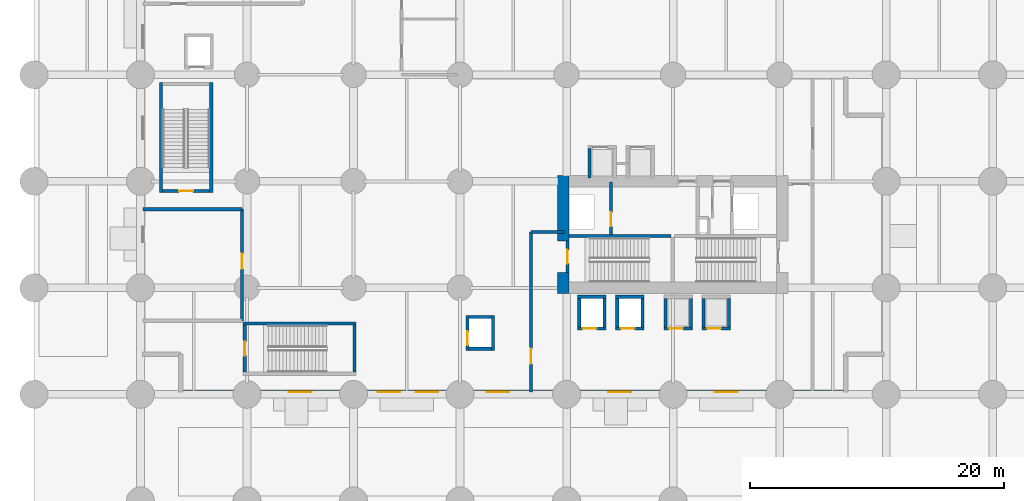
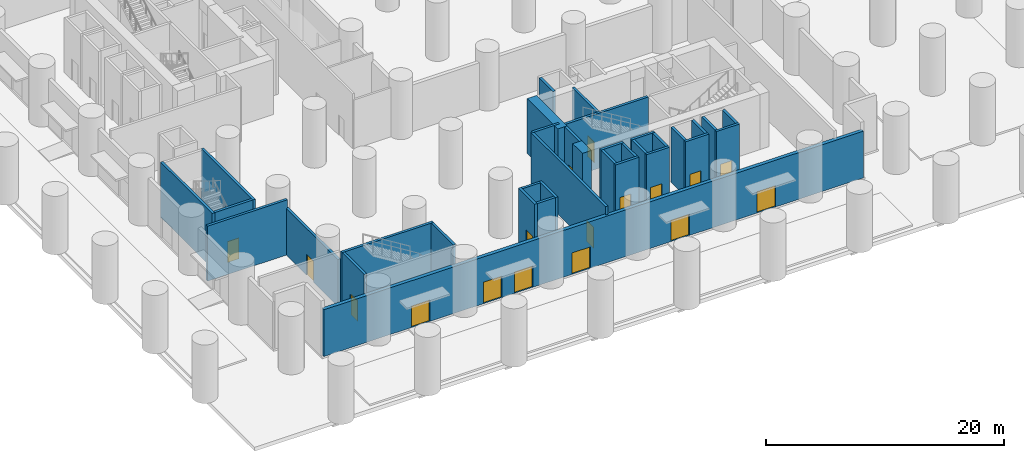
# One storey, part 5 of 13: 35 walls, 17 doors, 17 openings.
"""IFC4 building model written with IfcOpenShell, lengths in metres."""

from ifc_helpers import new_model, si_unit, direction, frame, frame_2d, origin, place, context, subcontext, project, spatial, rectangle, extrude, material, layer, layer_set, type_object, element, fill, save


model = new_model("IFC4")

# Units and contexts
model_context = context("Model", 3, precision=1e-05, world=origin(), true_north=direction((0.0, 1.0)))
body_context = subcontext(model_context, "Body", "Model", "MODEL_VIEW")
ifc_project = project(units=[si_unit("LENGTHUNIT", "METRE"), si_unit("AREAUNIT", "SQUARE_METRE"), si_unit("VOLUMEUNIT", "CUBIC_METRE"), si_unit("PLANEANGLEUNIT", "RADIAN"), si_unit("MASSUNIT", "GRAM", prefix="KILO")], contexts=[model_context])

# Site, building, storey
site_placement = place(None, origin())
site = spatial("IfcSite", under=ifc_project, at=site_placement, CompositionType="ELEMENT")
building_placement = place(site_placement, origin())
building = spatial("IfcBuilding", under=site, at=building_placement, Name="Koriwani Terraces Tower", CompositionType="ELEMENT")
storey_placement = place(building_placement, origin())
storey = spatial("IfcBuildingStorey", under=building, at=storey_placement, Name="L00", CompositionType="ELEMENT", Elevation=0.0)

# Walls
ifc_material_1 = material(Name="Concrete C60/75", Category="concrete")
ifc_layer_1 = layer(ifc_material_1, 0.89990234375, Name="Concrete C60/75")
ifc_layer_set_1 = layer_set([ifc_layer_1], Name="Concrete C60/75")
wall_type_1 = type_object("IfcWallType", Name="WALL_CORE_RC_900", PredefinedType="SHEAR", material=ifc_layer_set_1)
wall_1_placement = place(storey_placement, frame((41.75, 16.35009765625, 0.0), z_axis=(0.0, 0.0, 1.0), x_axis=(0.0, 1.0, 0.0)))
element("IfcWall", 1, at=wall_1_placement, inside=storey, type_object=wall_type_1, Name="L00 East Split Core Shear Wall W1", PredefinedType="SHEAR", context=body_context, shape_type="SweptSolid", body=[
    extrude(rectangle(XDim=1.64990234375, YDim=0.89990234375, at=frame_2d((0.824951171875, 0.0))), origin(), (0.0, 0.0, 1.0), 5.64990234375),
])
wall_2_placement = place(storey_placement, frame((41.75, 20.5, 0.0), z_axis=(0.0, 0.0, 1.0), x_axis=(0.0, 1.0, 0.0)))
element("IfcWall", 2, at=wall_2_placement, inside=storey, type_object=wall_type_1, Name="L00 East Split Core Shear Wall W2", PredefinedType="SHEAR", context=body_context, shape_type="SweptSolid", body=[
    extrude(rectangle(XDim=5.14990234375, YDim=0.89990234375, at=frame_2d((2.574951171875, 0.0))), origin(), (0.0, 0.0, 1.0), 5.64990234375),
])

# Wall, openings, doors
ifc_material_2 = material(Name="Concrete C50/60", Category="concrete")
ifc_layer_2 = layer(ifc_material_2, 0.35009765625, Name="Concrete C50/60")
ifc_layer_set_2 = layer_set([ifc_layer_2], Name="Concrete C50/60")
wall_type_2 = type_object("IfcWallType", Name="WALL_EXT_BRUTALIST_350", PredefinedType="STANDARD", material=ifc_layer_set_2)
wall_3_placement = place(storey_placement, frame((64.02490234375, 8.574951171875, 0.0), z_axis=(0.0, 0.0, 1.0), x_axis=(-1.0, 0.0, 0.0)))
wall_3 = element("IfcWall", 3, at=wall_3_placement, inside=storey, type_object=wall_type_2, Name="L00 Fair-Faced Brutalist Exterior Wall (S)", PredefinedType="STANDARD", context=body_context, shape_type="SweptSolid", body=[
    extrude(rectangle(XDim=52.449951171875, YDim=0.35009765625, at=frame_2d((26.22509765625, 0.0))), origin(), (0.0, 0.0, 1.0), 4.800048828125),
])
opening_1_placement = place(wall_3_placement, frame((35.125, 0.0, 0.0)))
opening_1 = element("IfcOpeningElement", 4, at=opening_1_placement, cuts=wall_3, Name="Opening D-01", PredefinedType="OPENING", context=body_context, shape_type="SweptSolid", body=[
    extrude(rectangle(XDim=1.800048828125, YDim=2.199951171875, at=frame_2d((0.89990234375, 1.10009765625))), frame((0.0, 0.18505859375, 0.0), z_axis=(0.0, -1.0, 0.0), x_axis=(1.0, 0.0, 0.0)), (0.0, 0.0, 1.0), 0.3701171875),
])
opening_2_placement = place(wall_3_placement, frame((26.52490234375, 0.0, 0.0)))
opening_2 = element("IfcOpeningElement", 5, at=opening_2_placement, cuts=wall_3, Name="Opening D-01", PredefinedType="OPENING", context=body_context, shape_type="SweptSolid", body=[
    extrude(rectangle(XDim=1.800048828125, YDim=2.199951171875, at=frame_2d((0.89990234375, 1.10009765625))), frame((0.0, 0.18505859375, 0.0), z_axis=(0.0, -1.0, 0.0), x_axis=(1.0, 0.0, 0.0)), (0.0, 0.0, 1.0), 0.3701171875),
])
opening_3_placement = place(wall_3_placement, frame((16.925048828125, 0.0, 0.0)))
opening_3 = element("IfcOpeningElement", 6, at=opening_3_placement, cuts=wall_3, Name="Opening D-01", PredefinedType="OPENING", context=body_context, shape_type="SweptSolid", body=[
    extrude(rectangle(XDim=1.800048828125, YDim=2.199951171875, at=frame_2d((0.89990234375, 1.10009765625))), frame((0.0, 0.18505859375, 0.0), z_axis=(0.0, -1.0, 0.0), x_axis=(1.0, 0.0, 0.0)), (0.0, 0.0, 1.0), 0.3701171875),
])
opening_4_placement = place(wall_3_placement, frame((8.52490234375, 0.0, 0.0)))
opening_4 = element("IfcOpeningElement", 7, at=opening_4_placement, cuts=wall_3, Name="Opening D-01", PredefinedType="OPENING", context=body_context, shape_type="SweptSolid", body=[
    extrude(rectangle(XDim=1.800048828125, YDim=2.199951171875, at=frame_2d((0.89990234375, 1.10009765625))), frame((0.0, 0.18505859375, 0.0), z_axis=(0.0, -1.0, 0.0), x_axis=(1.0, 0.0, 0.0)), (0.0, 0.0, 1.0), 0.3701171875),
])
opening_5_placement = place(wall_3_placement, frame((32.125, 0.0, 0.0)))
opening_5 = element("IfcOpeningElement", 8, at=opening_5_placement, cuts=wall_3, Name="Opening D-01", PredefinedType="OPENING", context=body_context, shape_type="SweptSolid", body=[
    extrude(rectangle(XDim=1.800048828125, YDim=2.199951171875, at=frame_2d((0.89990234375, 1.10009765625))), frame((0.0, 0.18505859375, 0.0), z_axis=(0.0, -1.0, 0.0), x_axis=(1.0, 0.0, 0.0)), (0.0, 0.0, 1.0), 0.3701171875),
])
opening_6_placement = place(wall_3_placement, frame((42.125, 0.0, 0.0)))
opening_6 = element("IfcOpeningElement", 9, at=opening_6_placement, cuts=wall_3, Name="Opening D-01", PredefinedType="OPENING", context=body_context, shape_type="SweptSolid", body=[
    extrude(rectangle(XDim=1.800048828125, YDim=2.199951171875, at=frame_2d((0.89990234375, 1.10009765625))), frame((0.0, 0.18505859375, 0.0), z_axis=(0.0, -1.0, 0.0), x_axis=(1.0, 0.0, 0.0)), (0.0, 0.0, 1.0), 0.3701171875),
])
ifc_material_3 = material(Name="Anodised Bronze Aluminium", Category="aluminium")
door_type_1 = type_object("IfcDoorType", Name="DOOR_EXIT_DOUBLE_1800X2200", OperationType="NOTDEFINED", PredefinedType="DOOR", material=ifc_material_3)
door_1_placement = place(opening_1_placement, origin())
door_1 = element("IfcDoor", 10, at=door_1_placement, inside=storey, type_object=door_type_1, Name="Final Exit Door EX-01 (Podium Stair ST-P2 & Lobby South)", OperationType="DOUBLE_SWING_LEFT", OverallHeight=2.199951171875, OverallWidth=1.800048828125, PredefinedType="DOOR", context=body_context, shape_type="SweptSolid", body=[
    extrude(rectangle(XDim=1.800048828125, YDim=2.199951171875, at=frame_2d((0.89990234375, 1.10009765625))), frame((0.0, 0.02490234375, 0.0), z_axis=(0.0, -1.0, 0.0), x_axis=(1.0, 0.0, 0.0)), (0.0, 0.0, 1.0), 0.050048828125),
])
fill(opening_1, door_1)
door_2_placement = place(opening_2_placement, origin())
door_2 = element("IfcDoor", 11, at=door_2_placement, inside=storey, type_object=door_type_1, Name="Final Exit Door EX-02 (Main Plaza South)", OperationType="DOUBLE_SWING_LEFT", OverallHeight=2.199951171875, OverallWidth=1.800048828125, PredefinedType="DOOR", context=body_context, shape_type="SweptSolid", body=[
    extrude(rectangle(XDim=1.800048828125, YDim=2.199951171875, at=frame_2d((0.89990234375, 1.10009765625))), frame((0.0, 0.02490234375, 0.0), z_axis=(0.0, -1.0, 0.0), x_axis=(1.0, 0.0, 0.0)), (0.0, 0.0, 1.0), 0.050048828125),
])
fill(opening_2, door_2)
door_3_placement = place(opening_3_placement, origin())
door_3 = element("IfcDoor", 12, at=door_3_placement, inside=storey, type_object=door_type_1, Name="Final Exit Door EX-03 (East Stair ST-E1 Protected Discharge)", OperationType="DOUBLE_SWING_LEFT", OverallHeight=2.199951171875, OverallWidth=1.800048828125, PredefinedType="DOOR", context=body_context, shape_type="SweptSolid", body=[
    extrude(rectangle(XDim=1.800048828125, YDim=2.199951171875, at=frame_2d((0.89990234375, 1.10009765625))), frame((0.0, 0.02490234375, 0.0), z_axis=(0.0, -1.0, 0.0), x_axis=(1.0, 0.0, 0.0)), (0.0, 0.0, 1.0), 0.050048828125),
])
fill(opening_3, door_3)
door_4_placement = place(opening_4_placement, origin())
door_4 = element("IfcDoor", 13, at=door_4_placement, inside=storey, type_object=door_type_1, Name="Final Exit Door EX-04 (East Stair ST-E2 Protected Discharge)", OperationType="DOUBLE_SWING_LEFT", OverallHeight=2.199951171875, OverallWidth=1.800048828125, PredefinedType="DOOR", context=body_context, shape_type="SweptSolid", body=[
    extrude(rectangle(XDim=1.800048828125, YDim=2.199951171875, at=frame_2d((0.89990234375, 1.10009765625))), frame((0.0, 0.02490234375, 0.0), z_axis=(0.0, -1.0, 0.0), x_axis=(1.0, 0.0, 0.0)), (0.0, 0.0, 1.0), 0.050048828125),
])
fill(opening_4, door_4)
door_5_placement = place(opening_5_placement, origin())
door_5 = element("IfcDoor", 14, at=door_5_placement, inside=storey, type_object=door_type_1, Name="Final Exit Door EX-09 (Hotel Concourse Plaza Exit)", OperationType="DOUBLE_SWING_LEFT", OverallHeight=2.199951171875, OverallWidth=1.800048828125, PredefinedType="DOOR", context=body_context, shape_type="SweptSolid", body=[
    extrude(rectangle(XDim=1.800048828125, YDim=2.199951171875, at=frame_2d((0.89990234375, 1.10009765625))), frame((0.0, 0.02490234375, 0.0), z_axis=(0.0, -1.0, 0.0), x_axis=(1.0, 0.0, 0.0)), (0.0, 0.0, 1.0), 0.050048828125),
])
fill(opening_5, door_5)
door_6_placement = place(opening_6_placement, origin())
door_6 = element("IfcDoor", 15, at=door_6_placement, inside=storey, type_object=door_type_1, Name="Final Exit Door EX-10 (South Arrival Plaza Exit)", OperationType="DOUBLE_SWING_LEFT", OverallHeight=2.199951171875, OverallWidth=1.800048828125, PredefinedType="DOOR", context=body_context, shape_type="SweptSolid", body=[
    extrude(rectangle(XDim=1.800048828125, YDim=2.199951171875, at=frame_2d((0.89990234375, 1.10009765625))), frame((0.0, 0.02490234375, 0.0), z_axis=(0.0, -1.0, 0.0), x_axis=(1.0, 0.0, 0.0)), (0.0, 0.0, 1.0), 0.050048828125),
])
fill(opening_6, door_6)

# Walls
ifc_material_4 = material(Name="Concrete C40/50", Category="concrete")
ifc_layer_3 = layer(ifc_material_4, 0.25, Name="Concrete C40/50")
ifc_layer_set_3 = layer_set([ifc_layer_3], Name="Concrete C40/50")
wall_type_3 = type_object("IfcWallType", Name="WALL_SHAFT_RATED_250", PredefinedType="SOLIDWALL", material=ifc_layer_set_3)
wall_4_placement = place(storey_placement, frame((42.199951171875, 20.875, 0.0), z_axis=(0.0, 0.0, 1.0), x_axis=(1.0, 0.0, 0.0)))
element("IfcWall", 16, at=wall_4_placement, inside=storey, type_object=wall_type_3, Name="L00 East Split Core Web Wall MID1", PredefinedType="SOLIDWALL", context=body_context, shape_type="SweptSolid", body=[
    extrude(rectangle(XDim=8.050048828125, YDim=0.25, at=frame_2d((4.02490234375, 0.0))), origin(), (0.0, 0.0, 1.0), 5.64990234375),
])
for number, where, z_axis, x_axis, name in (
    (17, (10.02490234375, 24.300048828125, 0.0), (0.0, 0.0, 1.0), (0.0, 1.0, 0.0), "L00 Podium Stair ST-P1 West Bearing Wall"),
    (18, (13.97509765625, 24.300048828125, 0.0), (0.0, 0.0, 1.0), (0.0, 1.0, 0.0), "L00 Podium Stair ST-P1 East Bearing Wall"),
):
    element("IfcWall", number, at=place(storey_placement, frame(where, z_axis=z_axis, x_axis=x_axis)), inside=storey, type_object=wall_type_3, Name=name, PredefinedType="SOLIDWALL", context=body_context, shape_type="SweptSolid", body=[
        extrude(rectangle(XDim=8.699951171875, YDim=0.25, at=frame_2d((4.35009765625, 0.0))), origin(), (0.0, 0.0, 1.0), 5.64990234375),
    ])
wall_5_placement = place(storey_placement, frame((16.5, 13.97509765625, 0.0), z_axis=(0.0, 0.0, 1.0), x_axis=(1.0, 0.0, 0.0)))
element("IfcWall", 19, at=wall_5_placement, inside=storey, type_object=wall_type_3, Name="L00 Podium Stair ST-P2 North Bearing Wall", PredefinedType="SOLIDWALL", context=body_context, shape_type="SweptSolid", body=[
    extrude(rectangle(XDim=8.89990234375, YDim=0.25, at=frame_2d((4.449951171875, 0.0))), origin(), (0.0, 0.0, 1.0), 5.64990234375),
])
wall_6_placement = place(storey_placement, frame((25.27490234375, 10.14990234375, 0.0), z_axis=(0.0, 0.0, 1.0), x_axis=(0.0, 1.0, 0.0)))
element("IfcWall", 20, at=wall_6_placement, inside=storey, type_object=wall_type_3, Name="L00 Podium Stair ST-P2 East Bearing Wall", PredefinedType="SOLIDWALL", context=body_context, shape_type="SweptSolid", body=[
    extrude(rectangle(XDim=3.7001953125, YDim=0.25, at=frame_2d((1.85009765625, 0.0))), origin(), (0.0, 0.0, 1.0), 5.64990234375),
])

# Wall, opening, door
wall_7_placement = place(storey_placement, frame((42.074951171875, 18.0, 0.0), z_axis=(0.0, 0.0, 1.0), x_axis=(0.0, 1.0, 0.0)))
wall_7 = element("IfcWall", 21, at=wall_7_placement, inside=storey, type_object=wall_type_3, Name="L00 Interior Wall WIN-CE-L00-STW", PredefinedType="SOLIDWALL", context=body_context, shape_type="SweptSolid", body=[
    extrude(rectangle(XDim=2.5, YDim=0.25, at=frame_2d((1.25, 0.0))), origin(), (0.0, 0.0, 1.0), 5.64990234375),
])
opening_7_placement = place(wall_7_placement, frame((0.699951171875, 0.0, 0.0)))
opening_7 = element("IfcOpeningElement", 22, at=opening_7_placement, cuts=wall_7, Name="Opening D-03", PredefinedType="OPENING", context=body_context, shape_type="SweptSolid", body=[
    extrude(rectangle(XDim=1.10009765625, YDim=2.14990234375, at=frame_2d((0.550048828125, 1.074951171875))), frame((0.0, 0.135009765625, 0.0), z_axis=(0.0, -1.0, 0.0), x_axis=(1.0, 0.0, 0.0)), (0.0, 0.0, 1.0), 0.27001953125),
])
ifc_material_5 = material(Name="Steel ASTM A572 Grade 50", Category="steel")
door_type_2 = type_object("IfcDoorType", Name="DOOR_STAIR_FIRE_1100X2150", OperationType="NOTDEFINED", PredefinedType="DOOR", material=ifc_material_5)
door_7_placement = place(opening_7_placement, origin())
door_7 = element("IfcDoor", 23, at=door_7_placement, inside=storey, type_object=door_type_2, Name="L00 Exit Stair ST-E1 Door", OperationType="SINGLE_SWING_LEFT", OverallHeight=2.14990234375, OverallWidth=1.10009765625, PredefinedType="DOOR", context=body_context, shape_type="SweptSolid", body=[
    extrude(rectangle(XDim=1.10009765625, YDim=2.14990234375, at=frame_2d((0.550048828125, 1.074951171875))), frame((0.0, 0.02490234375, 0.0), z_axis=(0.0, -1.0, 0.0), x_axis=(1.0, 0.0, 0.0)), (0.0, 0.0, 1.0), 0.050048828125),
])
fill(opening_7, door_7)

wall_8_placement = place(storey_placement, frame((45.5, 21.0, 0.0), z_axis=(0.0, 0.0, 1.0), x_axis=(0.0, 1.0, 0.0)))
wall_8 = element("IfcWall", 24, at=wall_8_placement, inside=storey, type_object=wall_type_3, Name="L00 Interior Wall WIN-CE-L00-FE", PredefinedType="SOLIDWALL", context=body_context, shape_type="SweptSolid", body=[
    extrude(rectangle(XDim=4.14990234375, YDim=0.25, at=frame_2d((2.074951171875, 0.0))), origin(), (0.0, 0.0, 1.0), 5.64990234375),
])
opening_8_placement = place(wall_8_placement, frame((0.64990234375, 0.0, 0.0)))
opening_8 = element("IfcOpeningElement", 25, at=opening_8_placement, cuts=wall_8, Name="Opening LD-01", PredefinedType="OPENING", context=body_context, shape_type="SweptSolid", body=[
    extrude(rectangle(XDim=1.10009765625, YDim=2.14990234375, at=frame_2d((0.550048828125, 1.074951171875))), frame((0.0, 0.135009765625, 0.0), z_axis=(0.0, -1.0, 0.0), x_axis=(1.0, 0.0, 0.0)), (0.0, 0.0, 1.0), 0.27001953125),
])
door_type_3 = type_object("IfcDoorType", Name="DOOR_LIFT_LANDING_1100X2200", OperationType="NOTDEFINED", PredefinedType="DOOR", material=ifc_material_5)
door_8_placement = place(opening_8_placement, origin())
door_8 = element("IfcDoor", 26, at=door_8_placement, inside=storey, type_object=door_type_3, Name="L00 Firefighting Lift FE-02 Landing Door", OperationType="SLIDING_TO_LEFT", OverallHeight=2.14990234375, OverallWidth=1.10009765625, PredefinedType="DOOR", context=body_context, shape_type="SweptSolid", body=[
    extrude(rectangle(XDim=1.10009765625, YDim=2.14990234375, at=frame_2d((0.550048828125, 1.074951171875))), frame((0.0, 0.02490234375, 0.0), z_axis=(0.0, -1.0, 0.0), x_axis=(1.0, 0.0, 0.0)), (0.0, 0.0, 1.0), 0.050048828125),
])
fill(opening_8, door_8)

wall_9_placement = place(storey_placement, frame((34.199951171875, 11.875, 0.0), z_axis=(0.0, 0.0, 1.0), x_axis=(0.0, 1.0, 0.0)))
wall_9 = element("IfcWall", 27, at=wall_9_placement, inside=storey, type_object=wall_type_3, Name="L00 Interior Wall WIN-LF-PE-P2-L00-F", PredefinedType="SOLIDWALL", context=body_context, shape_type="SweptSolid", body=[
    extrude(rectangle(XDim=2.75, YDim=0.25, at=frame_2d((1.375, 0.0))), origin(), (0.0, 0.0, 1.0), 5.64990234375),
])
opening_9_placement = place(wall_9_placement, frame((0.39990234375, 0.0, 0.0)))
opening_9 = element("IfcOpeningElement", 28, at=opening_9_placement, cuts=wall_9, Name="Opening LD-01", PredefinedType="OPENING", context=body_context, shape_type="SweptSolid", body=[
    extrude(rectangle(XDim=1.10009765625, YDim=2.14990234375, at=frame_2d((0.550048828125, 1.074951171875))), frame((0.0, 0.135009765625, 0.0), z_axis=(0.0, -1.0, 0.0), x_axis=(1.0, 0.0, 0.0)), (0.0, 0.0, 1.0), 0.27001953125),
])
door_9_placement = place(opening_9_placement, origin())
door_9 = element("IfcDoor", 29, at=door_9_placement, inside=storey, type_object=door_type_3, Name="L00 Passenger Lift PE-P2 Landing Door", OperationType="SLIDING_TO_LEFT", OverallHeight=2.14990234375, OverallWidth=1.10009765625, PredefinedType="DOOR", context=body_context, shape_type="SweptSolid", body=[
    extrude(rectangle(XDim=1.10009765625, YDim=2.14990234375, at=frame_2d((0.550048828125, 1.074951171875))), frame((0.0, 0.02490234375, 0.0), z_axis=(0.0, -1.0, 0.0), x_axis=(1.0, 0.0, 0.0)), (0.0, 0.0, 1.0), 0.050048828125),
])
fill(opening_9, door_9)

# Walls
wall_10_placement = place(storey_placement, frame((36.199951171875, 11.875, 0.0), z_axis=(0.0, 0.0, 1.0), x_axis=(0.0, 1.0, 0.0)))
element("IfcWall", 30, at=wall_10_placement, inside=storey, type_object=wall_type_3, Name="L00 Interior Wall WIN-LF-PE-P2-L00-B", PredefinedType="SOLIDWALL", context=body_context, shape_type="SweptSolid", body=[
    extrude(rectangle(XDim=2.75, YDim=0.25, at=frame_2d((1.375, 0.0))), origin(), (0.0, 0.0, 1.0), 5.64990234375),
])
for number, where, z_axis, x_axis, name in (
    (31, (34.324951171875, 12.0, 0.0), (0.0, 0.0, 1.0), (1.0, 0.0, 0.0), "L00 Interior Wall WIN-LF-PE-P2-L00-S"),
    (32, (34.324951171875, 14.5, 0.0), (0.0, 0.0, 1.0), (1.0, 0.0, 0.0), "L00 Interior Wall WIN-LF-PE-P2-L00-N"),
):
    element("IfcWall", number, at=place(storey_placement, frame(where, z_axis=z_axis, x_axis=x_axis)), inside=storey, type_object=wall_type_3, Name=name, PredefinedType="SOLIDWALL", context=body_context, shape_type="SweptSolid", body=[
        extrude(rectangle(XDim=1.75, YDim=0.25, at=frame_2d((0.875, 0.0))), origin(), (0.0, 0.0, 1.0), 5.64990234375),
    ])

# Wall, opening, door
wall_11_placement = place(storey_placement, frame((42.875, 13.60009765625, 0.0), z_axis=(0.0, 0.0, 1.0), x_axis=(1.0, 0.0, 0.0)))
wall_11 = element("IfcWall", 33, at=wall_11_placement, inside=storey, type_object=wall_type_3, Name="L00 Interior Wall WIN-LF-PE-L3-L00-F", PredefinedType="SOLIDWALL", context=body_context, shape_type="SweptSolid", body=[
    extrude(rectangle(XDim=2.25, YDim=0.25, at=frame_2d((1.125, 0.0))), origin(), (0.0, 0.0, 1.0), 5.64990234375),
])
opening_10_placement = place(wall_11_placement, frame((0.39990234375, 0.0, 0.0)))
opening_10 = element("IfcOpeningElement", 34, at=opening_10_placement, cuts=wall_11, Name="Opening LD-01", PredefinedType="OPENING", context=body_context, shape_type="SweptSolid", body=[
    extrude(rectangle(XDim=1.10009765625, YDim=2.14990234375, at=frame_2d((0.550048828125, 1.074951171875))), frame((0.0, 0.135009765625, 0.0), z_axis=(0.0, -1.0, 0.0), x_axis=(1.0, 0.0, 0.0)), (0.0, 0.0, 1.0), 0.27001953125),
])
door_10_placement = place(opening_10_placement, origin())
door_10 = element("IfcDoor", 35, at=door_10_placement, inside=storey, type_object=door_type_3, Name="L00 Passenger Lift PE-L3 Landing Door", OperationType="SLIDING_TO_LEFT", OverallHeight=2.14990234375, OverallWidth=1.10009765625, PredefinedType="DOOR", context=body_context, shape_type="SweptSolid", body=[
    extrude(rectangle(XDim=1.10009765625, YDim=2.14990234375, at=frame_2d((0.550048828125, 1.074951171875))), frame((0.0, 0.02490234375, 0.0), z_axis=(0.0, -1.0, 0.0), x_axis=(1.0, 0.0, 0.0)), (0.0, 0.0, 1.0), 0.050048828125),
])
fill(opening_10, door_10)

# Walls
for number, where, z_axis, x_axis, name in (
    (36, (42.875, 16.10009765625, 0.0), (0.0, 0.0, 1.0), (1.0, 0.0, 0.0), "L00 Interior Wall WIN-LF-PE-L3-L00-B"),
    (37, (43.0, 13.72509765625, 0.0), (0.0, 0.0, 1.0), (0.0, 1.0, 0.0), "L00 Interior Wall WIN-LF-PE-L3-L00-W"),
    (38, (45.0, 13.72509765625, 0.0), (0.0, 0.0, 1.0), (0.0, 1.0, 0.0), "L00 Interior Wall WIN-LF-PE-L3-L00-E"),
):
    element("IfcWall", number, at=place(storey_placement, frame(where, z_axis=z_axis, x_axis=x_axis)), inside=storey, type_object=wall_type_3, Name=name, PredefinedType="SOLIDWALL", context=body_context, shape_type="SweptSolid", body=[
        extrude(rectangle(XDim=2.25, YDim=0.25, at=frame_2d((1.125, 0.0))), origin(), (0.0, 0.0, 1.0), 5.64990234375),
    ])

# Wall, opening, door
wall_12_placement = place(storey_placement, frame((45.875, 13.60009765625, 0.0), z_axis=(0.0, 0.0, 1.0), x_axis=(1.0, 0.0, 0.0)))
wall_12 = element("IfcWall", 39, at=wall_12_placement, inside=storey, type_object=wall_type_3, Name="L00 Interior Wall WIN-LF-PE-L4-L00-F", PredefinedType="SOLIDWALL", context=body_context, shape_type="SweptSolid", body=[
    extrude(rectangle(XDim=2.25, YDim=0.25, at=frame_2d((1.125, 0.0))), origin(), (0.0, 0.0, 1.0), 5.64990234375),
])
opening_11_placement = place(wall_12_placement, frame((0.39990234375, 0.0, 0.0)))
opening_11 = element("IfcOpeningElement", 40, at=opening_11_placement, cuts=wall_12, Name="Opening LD-01", PredefinedType="OPENING", context=body_context, shape_type="SweptSolid", body=[
    extrude(rectangle(XDim=1.10009765625, YDim=2.14990234375, at=frame_2d((0.550048828125, 1.074951171875))), frame((0.0, 0.135009765625, 0.0), z_axis=(0.0, -1.0, 0.0), x_axis=(1.0, 0.0, 0.0)), (0.0, 0.0, 1.0), 0.27001953125),
])
door_11_placement = place(opening_11_placement, origin())
door_11 = element("IfcDoor", 41, at=door_11_placement, inside=storey, type_object=door_type_3, Name="L00 Passenger Lift PE-L4 Landing Door", OperationType="SLIDING_TO_LEFT", OverallHeight=2.14990234375, OverallWidth=1.10009765625, PredefinedType="DOOR", context=body_context, shape_type="SweptSolid", body=[
    extrude(rectangle(XDim=1.10009765625, YDim=2.14990234375, at=frame_2d((0.550048828125, 1.074951171875))), frame((0.0, 0.02490234375, 0.0), z_axis=(0.0, -1.0, 0.0), x_axis=(1.0, 0.0, 0.0)), (0.0, 0.0, 1.0), 0.050048828125),
])
fill(opening_11, door_11)

# Walls
for number, where, z_axis, x_axis, name in (
    (42, (45.875, 16.10009765625, 0.0), (0.0, 0.0, 1.0), (1.0, 0.0, 0.0), "L00 Interior Wall WIN-LF-PE-L4-L00-B"),
    (43, (46.0, 13.72509765625, 0.0), (0.0, 0.0, 1.0), (0.0, 1.0, 0.0), "L00 Interior Wall WIN-LF-PE-L4-L00-W"),
    (44, (48.0, 13.72509765625, 0.0), (0.0, 0.0, 1.0), (0.0, 1.0, 0.0), "L00 Interior Wall WIN-LF-PE-L4-L00-E"),
):
    element("IfcWall", number, at=place(storey_placement, frame(where, z_axis=z_axis, x_axis=x_axis)), inside=storey, type_object=wall_type_3, Name=name, PredefinedType="SOLIDWALL", context=body_context, shape_type="SweptSolid", body=[
        extrude(rectangle(XDim=2.25, YDim=0.25, at=frame_2d((1.125, 0.0))), origin(), (0.0, 0.0, 1.0), 5.64990234375),
    ])

# Wall, opening, door
wall_13_placement = place(storey_placement, frame((49.675048828125, 13.60009765625, 0.0), z_axis=(0.0, 0.0, 1.0), x_axis=(1.0, 0.0, 0.0)))
wall_13 = element("IfcWall", 45, at=wall_13_placement, inside=storey, type_object=wall_type_3, Name="L00 Interior Wall WIN-LF-PE-M3-L00-F", PredefinedType="SOLIDWALL", context=body_context, shape_type="SweptSolid", body=[
    extrude(rectangle(XDim=2.25, YDim=0.25, at=frame_2d((1.125, 0.0))), origin(), (0.0, 0.0, 1.0), 5.64990234375),
])
opening_12_placement = place(wall_13_placement, frame((0.39990234375, 0.0, 0.0)))
opening_12 = element("IfcOpeningElement", 46, at=opening_12_placement, cuts=wall_13, Name="Opening LD-01", PredefinedType="OPENING", context=body_context, shape_type="SweptSolid", body=[
    extrude(rectangle(XDim=1.10009765625, YDim=2.14990234375, at=frame_2d((0.550048828125, 1.074951171875))), frame((0.0, 0.135009765625, 0.0), z_axis=(0.0, -1.0, 0.0), x_axis=(1.0, 0.0, 0.0)), (0.0, 0.0, 1.0), 0.27001953125),
])
door_12_placement = place(opening_12_placement, origin())
door_12 = element("IfcDoor", 47, at=door_12_placement, inside=storey, type_object=door_type_3, Name="L00 Passenger Lift PE-M3 Landing Door", OperationType="SLIDING_TO_LEFT", OverallHeight=2.14990234375, OverallWidth=1.10009765625, PredefinedType="DOOR", context=body_context, shape_type="SweptSolid", body=[
    extrude(rectangle(XDim=1.10009765625, YDim=2.14990234375, at=frame_2d((0.550048828125, 1.074951171875))), frame((0.0, 0.02490234375, 0.0), z_axis=(0.0, -1.0, 0.0), x_axis=(1.0, 0.0, 0.0)), (0.0, 0.0, 1.0), 0.050048828125),
])
fill(opening_12, door_12)

# Walls
for number, where, z_axis, x_axis, name in (
    (48, (49.800048828125, 13.72509765625, 0.0), (0.0, 0.0, 1.0), (0.0, 1.0, 0.0), "L00 Interior Wall WIN-LF-PE-M3-L00-W"),
    (49, (51.800048828125, 13.72509765625, 0.0), (0.0, 0.0, 1.0), (0.0, 1.0, 0.0), "L00 Interior Wall WIN-LF-PE-M3-L00-E"),
):
    element("IfcWall", number, at=place(storey_placement, frame(where, z_axis=z_axis, x_axis=x_axis)), inside=storey, type_object=wall_type_3, Name=name, PredefinedType="SOLIDWALL", context=body_context, shape_type="SweptSolid", body=[
        extrude(rectangle(XDim=2.25, YDim=0.25, at=frame_2d((1.125, 0.0))), origin(), (0.0, 0.0, 1.0), 5.64990234375),
    ])

# Wall, opening, door
wall_14_placement = place(storey_placement, frame((52.675048828125, 13.60009765625, 0.0), z_axis=(0.0, 0.0, 1.0), x_axis=(1.0, 0.0, 0.0)))
wall_14 = element("IfcWall", 50, at=wall_14_placement, inside=storey, type_object=wall_type_3, Name="L00 Interior Wall WIN-LF-PE-M4-L00-F", PredefinedType="SOLIDWALL", context=body_context, shape_type="SweptSolid", body=[
    extrude(rectangle(XDim=2.25, YDim=0.25, at=frame_2d((1.125, 0.0))), origin(), (0.0, 0.0, 1.0), 5.64990234375),
])
opening_13_placement = place(wall_14_placement, frame((0.39990234375, 0.0, 0.0)))
opening_13 = element("IfcOpeningElement", 51, at=opening_13_placement, cuts=wall_14, Name="Opening LD-01", PredefinedType="OPENING", context=body_context, shape_type="SweptSolid", body=[
    extrude(rectangle(XDim=1.10009765625, YDim=2.14990234375, at=frame_2d((0.550048828125, 1.074951171875))), frame((0.0, 0.135009765625, 0.0), z_axis=(0.0, -1.0, 0.0), x_axis=(1.0, 0.0, 0.0)), (0.0, 0.0, 1.0), 0.27001953125),
])
door_13_placement = place(opening_13_placement, origin())
door_13 = element("IfcDoor", 52, at=door_13_placement, inside=storey, type_object=door_type_3, Name="L00 Passenger Lift PE-M4 Landing Door", OperationType="SLIDING_TO_LEFT", OverallHeight=2.14990234375, OverallWidth=1.10009765625, PredefinedType="DOOR", context=body_context, shape_type="SweptSolid", body=[
    extrude(rectangle(XDim=1.10009765625, YDim=2.14990234375, at=frame_2d((0.550048828125, 1.074951171875))), frame((0.0, 0.02490234375, 0.0), z_axis=(0.0, -1.0, 0.0), x_axis=(1.0, 0.0, 0.0)), (0.0, 0.0, 1.0), 0.050048828125),
])
fill(opening_13, door_13)

# Walls
for number, where, z_axis, x_axis, name in (
    (53, (52.800048828125, 13.72509765625, 0.0), (0.0, 0.0, 1.0), (0.0, 1.0, 0.0), "L00 Interior Wall WIN-LF-PE-M4-L00-W"),
    (54, (54.800048828125, 13.72509765625, 0.0), (0.0, 0.0, 1.0), (0.0, 1.0, 0.0), "L00 Interior Wall WIN-LF-PE-M4-L00-E"),
):
    element("IfcWall", number, at=place(storey_placement, frame(where, z_axis=z_axis, x_axis=x_axis)), inside=storey, type_object=wall_type_3, Name=name, PredefinedType="SOLIDWALL", context=body_context, shape_type="SweptSolid", body=[
        extrude(rectangle(XDim=2.25, YDim=0.25, at=frame_2d((1.125, 0.0))), origin(), (0.0, 0.0, 1.0), 5.64990234375),
    ])
wall_15_placement = place(storey_placement, frame((43.800048828125, 25.449951171875, 0.0), z_axis=(0.0, 0.0, 1.0), x_axis=(0.0, 1.0, 0.0)))
element("IfcWall", 55, at=wall_15_placement, inside=storey, type_object=wall_type_3, Name="L00 Interior Wall WIN-LF-PE-H3-L00-W", PredefinedType="SOLIDWALL", context=body_context, shape_type="SweptSolid", body=[
    extrude(rectangle(XDim=2.324951171875, YDim=0.25, at=frame_2d((1.16259765625, 0.0))), origin(), (0.0, 0.0, 1.0), 5.64990234375),
])

# Wall, opening, door
wall_16_placement = place(storey_placement, frame((10.14990234375, 24.425048828125, 0.0), z_axis=(0.0, 0.0, 1.0), x_axis=(1.0, 0.0, 0.0)))
wall_16 = element("IfcWall", 56, at=wall_16_placement, inside=storey, type_object=wall_type_3, Name="L00 Interior Wall WIN-STP1-L00-S", PredefinedType="SOLIDWALL", context=body_context, shape_type="SweptSolid", body=[
    extrude(rectangle(XDim=3.7001953125, YDim=0.25, at=frame_2d((1.85009765625, 0.0))), origin(), (0.0, 0.0, 1.0), 5.64990234375),
])
opening_14_placement = place(wall_16_placement, frame((1.300048828125, 0.0, 0.0)))
opening_14 = element("IfcOpeningElement", 57, at=opening_14_placement, cuts=wall_16, Name="Opening D-03", PredefinedType="OPENING", context=body_context, shape_type="SweptSolid", body=[
    extrude(rectangle(XDim=1.10009765625, YDim=2.14990234375, at=frame_2d((0.550048828125, 1.074951171875))), frame((0.0, 0.135009765625, 0.0), z_axis=(0.0, -1.0, 0.0), x_axis=(1.0, 0.0, 0.0)), (0.0, 0.0, 1.0), 0.27001953125),
])
door_14_placement = place(opening_14_placement, origin())
door_14 = element("IfcDoor", 58, at=door_14_placement, inside=storey, type_object=door_type_2, Name="L00 Podium Exit Stair ST-P1 Door", OperationType="SINGLE_SWING_RIGHT", OverallHeight=2.14990234375, OverallWidth=1.10009765625, PredefinedType="DOOR", context=body_context, shape_type="SweptSolid", body=[
    extrude(rectangle(XDim=1.10009765625, YDim=2.14990234375, at=frame_2d((0.550048828125, 1.074951171875))), frame((0.0, 0.02490234375, 0.0), z_axis=(0.0, -1.0, 0.0), x_axis=(1.0, 0.0, 0.0)), (0.0, 0.0, 1.0), 0.050048828125),
])
fill(opening_14, door_14)

wall_17_placement = place(storey_placement, frame((16.625, 10.14990234375, 0.0), z_axis=(0.0, 0.0, 1.0), x_axis=(0.0, 1.0, 0.0)))
wall_17 = element("IfcWall", 59, at=wall_17_placement, inside=storey, type_object=wall_type_3, Name="L00 Interior Wall WIN-STP2-L00-W", PredefinedType="SOLIDWALL", context=body_context, shape_type="SweptSolid", body=[
    extrude(rectangle(XDim=3.7001953125, YDim=0.25, at=frame_2d((1.85009765625, 0.0))), origin(), (0.0, 0.0, 1.0), 5.64990234375),
])
opening_15_placement = place(wall_17_placement, frame((1.300048828125, 0.0, 0.0)))
opening_15 = element("IfcOpeningElement", 60, at=opening_15_placement, cuts=wall_17, Name="Opening D-03", PredefinedType="OPENING", context=body_context, shape_type="SweptSolid", body=[
    extrude(rectangle(XDim=1.10009765625, YDim=2.14990234375, at=frame_2d((0.550048828125, 1.074951171875))), frame((0.0, 0.135009765625, 0.0), z_axis=(0.0, -1.0, 0.0), x_axis=(1.0, 0.0, 0.0)), (0.0, 0.0, 1.0), 0.27001953125),
])
door_15_placement = place(opening_15_placement, origin())
door_15 = element("IfcDoor", 61, at=door_15_placement, inside=storey, type_object=door_type_2, Name="L00 Podium Exit Stair ST-P2 Door", OperationType="SINGLE_SWING_LEFT", OverallHeight=2.14990234375, OverallWidth=1.10009765625, PredefinedType="DOOR", context=body_context, shape_type="SweptSolid", body=[
    extrude(rectangle(XDim=1.10009765625, YDim=2.14990234375, at=frame_2d((0.550048828125, 1.074951171875))), frame((0.0, 0.02490234375, 0.0), z_axis=(0.0, -1.0, 0.0), x_axis=(1.0, 0.0, 0.0)), (0.0, 0.0, 1.0), 0.050048828125),
])
fill(opening_15, door_15)

wall_18_placement = place(storey_placement, frame((16.39990234375, 14.199951171875, 0.0), z_axis=(0.0, 0.0, 1.0), x_axis=(0.0, 1.0, 0.0)))
wall_18 = element("IfcWall", 62, at=wall_18_placement, inside=storey, type_object=wall_type_3, Name="L00 Interior Wall WL00-FCR-E", PredefinedType="SOLIDWALL", context=body_context, shape_type="SweptSolid", body=[
    extrude(rectangle(XDim=8.800048828125, YDim=0.25, at=frame_2d((4.39990234375, 0.0))), origin(), (0.0, 0.0, 1.0), 4.800048828125),
])
opening_16_placement = place(wall_18_placement, frame((4.10009765625, 0.0, 0.0)))
opening_16 = element("IfcOpeningElement", 63, at=opening_16_placement, cuts=wall_18, Name="Opening D-04", PredefinedType="OPENING", context=body_context, shape_type="SweptSolid", body=[
    extrude(rectangle(XDim=1.199951171875, YDim=2.14990234375, at=frame_2d((0.60009765625, 1.074951171875))), frame((0.0, 0.135009765625, 0.0), z_axis=(0.0, -1.0, 0.0), x_axis=(1.0, 0.0, 0.0)), (0.0, 0.0, 1.0), 0.27001953125),
])
door_type_4 = type_object("IfcDoorType", Name="DOOR_FF_LOBBY_1200X2150", OperationType="NOTDEFINED", PredefinedType="DOOR", material=ifc_material_5)
door_16_placement = place(opening_16_placement, origin())
door_16 = element("IfcDoor", 64, at=door_16_placement, inside=storey, type_object=door_type_4, Name="L00 Fire Command Room Interior Door", OperationType="SINGLE_SWING_RIGHT", OverallHeight=2.14990234375, OverallWidth=1.199951171875, PredefinedType="DOOR", context=body_context, shape_type="SweptSolid", body=[
    extrude(rectangle(XDim=1.199951171875, YDim=2.14990234375, at=frame_2d((0.60009765625, 1.074951171875))), frame((0.0, 0.02490234375, 0.0), z_axis=(0.0, -1.0, 0.0), x_axis=(1.0, 0.0, 0.0)), (0.0, 0.0, 1.0), 0.050048828125),
])
fill(opening_16, door_16)

# Wall
wall_19_placement = place(storey_placement, frame((8.60009765625, 23.0, 0.0), z_axis=(0.0, 0.0, 1.0), x_axis=(1.0, 0.0, 0.0)))
element("IfcWall", 65, at=wall_19_placement, inside=storey, type_object=wall_type_3, Name="L00 Interior Wall WL00-FCR-N", PredefinedType="SOLIDWALL", context=body_context, shape_type="SweptSolid", body=[
    extrude(rectangle(XDim=7.7998046875, YDim=0.25, at=frame_2d((3.89990234375, 0.0))), origin(), (0.0, 0.0, 1.0), 5.64990234375),
])

# Wall, opening, door
wall_20_placement = place(storey_placement, frame((39.199951171875, 8.60009765625, 0.0), z_axis=(0.0, 0.0, 1.0), x_axis=(0.0, 1.0, 0.0)))
wall_20 = element("IfcWall", 66, at=wall_20_placement, inside=storey, type_object=wall_type_3, Name="L00 Interior Wall WL00-EPASS-W1", PredefinedType="SOLIDWALL", context=body_context, shape_type="SweptSolid", body=[
    extrude(rectangle(XDim=12.599853515625, YDim=0.25, at=frame_2d((6.2998046875, 0.0))), origin(), (0.0, 0.0, 1.0), 5.64990234375),
])
opening_17_placement = place(wall_20_placement, frame((2.199951171875, 0.0, 0.0)))
opening_17 = element("IfcOpeningElement", 67, at=opening_17_placement, cuts=wall_20, Name="Opening D-04", PredefinedType="OPENING", context=body_context, shape_type="SweptSolid", body=[
    extrude(rectangle(XDim=1.199951171875, YDim=2.14990234375, at=frame_2d((0.60009765625, 1.074951171875))), frame((0.0, 0.135009765625, 0.0), z_axis=(0.0, -1.0, 0.0), x_axis=(1.0, 0.0, 0.0)), (0.0, 0.0, 1.0), 0.27001953125),
])
door_17_placement = place(opening_17_placement, origin())
door_17 = element("IfcDoor", 68, at=door_17_placement, inside=storey, type_object=door_type_4, Name="L00 East Protected Exit Passage Lobby Door", OperationType="SINGLE_SWING_RIGHT", OverallHeight=2.14990234375, OverallWidth=1.199951171875, PredefinedType="DOOR", context=body_context, shape_type="SweptSolid", body=[
    extrude(rectangle(XDim=1.199951171875, YDim=2.14990234375, at=frame_2d((0.60009765625, 1.074951171875))), frame((0.0, 0.02490234375, 0.0), z_axis=(0.0, -1.0, 0.0), x_axis=(1.0, 0.0, 0.0)), (0.0, 0.0, 1.0), 0.050048828125),
])
fill(opening_17, door_17)

# Wall
wall_21_placement = place(storey_placement, frame((39.199951171875, 21.199951171875, 0.0), z_axis=(0.0, 0.0, 1.0), x_axis=(1.0, 0.0, 0.0)))
element("IfcWall", 69, at=wall_21_placement, inside=storey, type_object=wall_type_3, Name="L00 Interior Wall WL00-EPASS-N1", PredefinedType="SOLIDWALL", context=body_context, shape_type="SweptSolid", body=[
    extrude(rectangle(XDim=2.60009765625, YDim=0.25, at=frame_2d((1.300048828125, 0.0))), origin(), (0.0, 0.0, 1.0), 5.64990234375),
])

save(model, "model.ifc")
